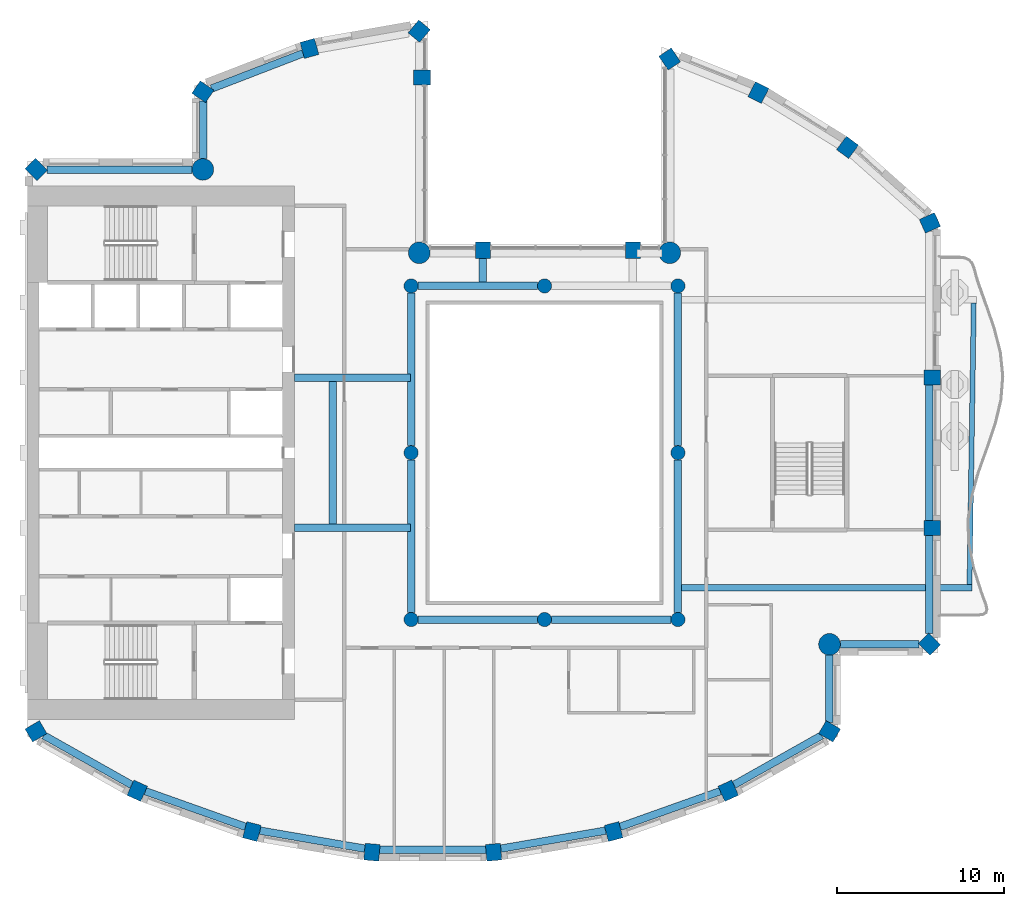
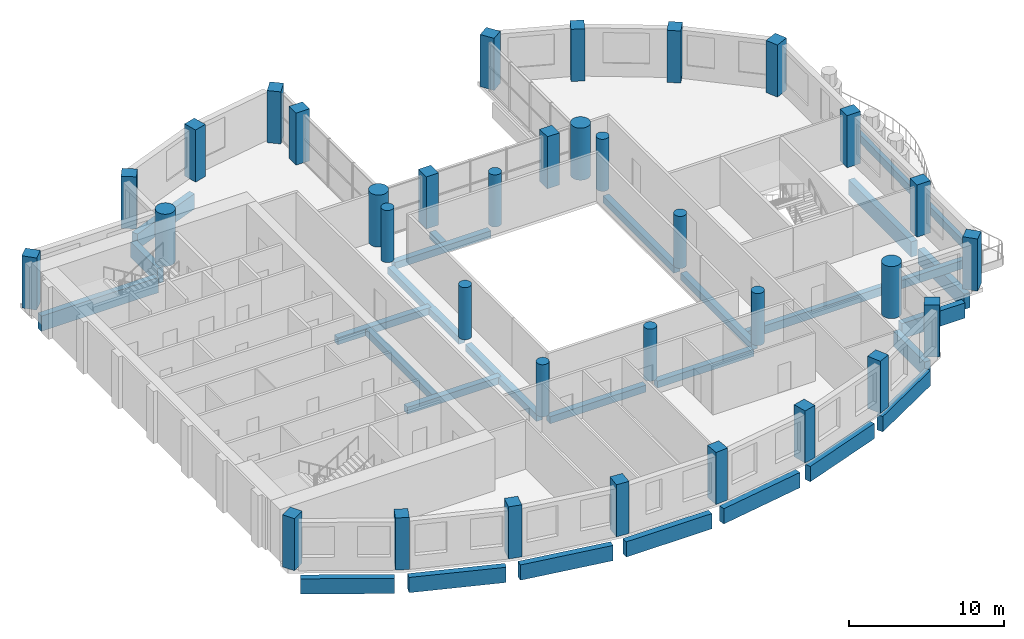
# One storey, part 1 of 14: 34 columns, 27 beams.
"""IFC4 building model written with IfcOpenShell, lengths in metres."""

from ifc_helpers import new_model, si_unit, direction, frame, origin, origin_2d, place, context, subcontext, project, spatial, rectangle, circle, extrude, material, material_profile, profile_set, type_object, element, save


model = new_model("IFC4")

# Units and contexts
model_context = context("Model", 3, precision=1e-05, world=origin(), true_north=direction((0.0, 1.0)))
body_context = subcontext(model_context, "Body", "Model", "MODEL_VIEW")
ifc_project = project(units=[si_unit("LENGTHUNIT", "METRE"), si_unit("AREAUNIT", "SQUARE_METRE"), si_unit("VOLUMEUNIT", "CUBIC_METRE"), si_unit("PLANEANGLEUNIT", "RADIAN"), si_unit("MASSUNIT", "GRAM", prefix="KILO")], contexts=[model_context])

# Site, building, storey
site_placement = place(None, origin())
site = spatial("IfcSite", under=ifc_project, at=site_placement, CompositionType="ELEMENT")
building_placement = place(site_placement, origin())
building = spatial("IfcBuilding", under=site, at=building_placement, Name="Cypress Arch Tower", CompositionType="ELEMENT")
storey_placement = place(building_placement, frame((0.0, 0.0, 276.199951171875)))
storey = spatial("IfcBuildingStorey", under=building, at=storey_placement, Name="L62", CompositionType="ELEMENT", Elevation=276.199951171875)

# Columns
ifc_material_1 = material(Name="Concrete C60/75", Category="concrete")
ifc_material_profile_1 = material_profile(ifc_material_1, rectangle(XDim=0.89990234375, YDim=1.0, at=origin_2d()), Name="RC 900x1000")
ifc_profile_set_1 = profile_set([ifc_material_profile_1], Name="Concrete C60/75")
column_type_1 = type_object("IfcColumnType", Name="Column RC 900x1000 Concrete C60/75", PredefinedType="COLUMN", material=ifc_profile_set_1)
for number, where, z_axis, x_axis, name in (
    (1, (8.5029296875, 23.606201171875, 0.0), (0.0, 0.0, 1.0), (-0.828469606019, -0.560034027451, 0.0), "Column L62 CC00"),
    (2, (6.300048828125, 12.14990234375, 0.0), (0.0, 0.0, 1.0), (-1.0, 0.0, 0.0), "Column L62 CC02"),
    (3, (-2.699951171875, 12.14990234375, 0.0), (0.0, 0.0, 1.0), (-1.0, 0.0, 0.0), "Column L62 CC03"),
    (4, (-6.35009765625, 22.5, 0.0), (0.0, 0.0, 1.0), (0.0, 1.0, 0.0), "Column L62 CC05"),
    (5, (-6.51611328125, 25.27490234375, 0.0), (0.0, 0.0, 1.0), (-0.766063514674, 0.642764880407, 0.0), "Column L62 CC06"),
    (6, (-13.0947265625, 24.241455078125, 0.0), (0.0, 0.0, 1.0), (-0.96345574646, -0.267867550506, 0.0), "Column L62 CC07"),
    (7, (-19.483154296875, 21.645263671875, 0.0), (0.0, 0.0, 1.0), (-0.565892599589, -0.824478966215, 0.0), "Column L62 CC08"),
    (8, (-29.478271484375, 16.978271484375, 0.0), (0.0, 0.0, 1.0), (-0.707106781187, -0.707106781187, 0.0), "Column L62 CC10"),
    (9, (-29.4912109375, -16.702880859375, 0.0), (0.0, 0.0, 1.0), (0.504399289829, -0.86347053014, 0.0), "Column L62 CC11"),
    (10, (-23.4189453125, -20.266845703125, 0.0), (0.0, 0.0, 1.0), (0.909932071487, -0.414757308891, 0.0), "Column L62 CC12"),
    (11, (-16.541748046875, -22.714599609375, 0.0), (0.0, 0.0, 1.0), (0.96735573689, -0.2534223319, 0.0), "Column L62 CC13"),
    (12, (-9.346923828125, -23.95361328125, 0.0), (0.0, 0.0, 1.0), (0.996368206733, -0.085149260784, 0.0), "Column L62 CC14"),
    (13, (-2.052978515625, -23.95361328125, 0.0), (0.0, 0.0, 1.0), (0.996368206733, 0.085149260784, 0.0), "Column L62 CC15"),
    (14, (5.1416015625, -22.714599609375, 0.0), (0.0, 0.0, 1.0), (0.96735573689, 0.2534223319, 0.0), "Column L62 CC16"),
    (15, (12.01904296875, -20.266845703125, 0.0), (0.0, 0.0, 1.0), (0.909932071487, 0.414757308891, 0.0), "Column L62 CC17"),
    (16, (18.09130859375, -16.702880859375, 0.0), (0.0, 0.0, 1.0), (0.504399289829, 0.86347053014, 0.0), "Column L62 CC18"),
    (17, (24.078369140625, -11.478271484375, 0.0), (0.0, 0.0, 1.0), (0.707106781187, 0.707106781187, 0.0), "Column L62 CC20"),
    (18, (24.25, -4.5, 0.0), (0.0, 0.0, 1.0), (0.0, 1.0, 0.0), "Column L62 CC21"),
    (19, (24.25, 4.5, 0.0), (0.0, 0.0, 1.0), (0.0, 1.0, 0.0), "Column L62 CC22"),
    (20, (24.109619140625, 13.77978515625, 0.0), (0.0, 0.0, 1.0), (-0.409765058504, 0.912191096662, 0.0), "Column L62 CC23"),
    (21, (19.168212890625, 18.307861328125, 0.0), (0.0, 0.0, 1.0), (-0.802798546114, 0.596250362144, 0.0), "Column L62 CC24"),
    (22, (13.82568359375, 21.59375, 0.0), (0.0, 0.0, 1.0), (-0.893106499805, 0.44984528452, 0.0), "Column L62 CC25"),
):
    element("IfcColumn", number, at=place(storey_placement, frame(where, z_axis=z_axis, x_axis=x_axis)), inside=storey, type_object=column_type_1, Name=name, PredefinedType="COLUMN", context=body_context, shape_type="SweptSolid", body=[
        extrude(rectangle(XDim=0.89990234375, YDim=1.0, at=origin_2d()), origin(), (0.0, 0.0, 1.0), 4.10009765625),
    ])
ifc_material_2 = material(Name="Concrete C60/75", Category="concrete")
ifc_material_profile_2 = material_profile(ifc_material_2, circle(Radius=0.425048828125, at=origin_2d()), Name="RC D850")
ifc_profile_set_2 = profile_set([ifc_material_profile_2], Name="Concrete C60/75")
column_type_2 = type_object("IfcColumnType", Name="Column RC D850 Concrete C60/75", PredefinedType="COLUMN", material=ifc_profile_set_2)
for number, where, z_axis, x_axis, name in (
    (23, (-7.0, -10.0, 0.0), (0.0, 0.0, 1.0), (1.0, 0.0, 0.0), "Column L62 RNG-L62-G-7-10"),
    (24, (-7.0, 0.0, 0.0), (0.0, 0.0, 1.0), (1.0, 0.0, 0.0), "Column L62 RNG-L62-G-7+0"),
    (25, (-7.0, 10.0, 0.0), (0.0, 0.0, 1.0), (1.0, 0.0, 0.0), "Column L62 RNG-L62-G-7+10"),
    (26, (1.0, -10.0, 0.0), (0.0, 0.0, 1.0), (1.0, 0.0, 0.0), "Column L62 RNG-L62-G+1-10"),
    (27, (1.0, 10.0, 0.0), (0.0, 0.0, 1.0), (1.0, 0.0, 0.0), "Column L62 RNG-L62-G+1+10"),
    (28, (9.0, -10.0, 0.0), (0.0, 0.0, 1.0), (1.0, 0.0, 0.0), "Column L62 RNG-L62-G+9-10"),
    (29, (9.0, 0.0, 0.0), (0.0, 0.0, 1.0), (1.0, 0.0, 0.0), "Column L62 RNG-L62-G+9+0"),
    (30, (9.0, 10.0, 0.0), (0.0, 0.0, 1.0), (1.0, 0.0, 0.0), "Column L62 RNG-L62-G+9+10"),
):
    element("IfcColumn", number, at=place(storey_placement, frame(where, z_axis=z_axis, x_axis=x_axis)), inside=storey, type_object=column_type_2, Name=name, PredefinedType="COLUMN", context=body_context, shape_type="SweptSolid", body=[
        extrude(circle(Radius=0.425048828125, at=origin_2d()), origin(), (0.0, 0.0, 1.0), 4.10009765625),
    ])
ifc_material_3 = material(Name="Concrete C60/75", Category="concrete")
ifc_material_profile_3 = material_profile(ifc_material_3, circle(Radius=0.64990234375, at=origin_2d()), Name="RC D1300")
ifc_profile_set_3 = profile_set([ifc_material_profile_3], Name="Concrete C60/75")
column_type_3 = type_object("IfcColumnType", Name="Mega-column RC D1300 Concrete C60/75", PredefinedType="COLUMN", material=ifc_profile_set_3)
for number, where, z_axis, x_axis, name in (
    (31, (8.51220703125, 11.98779296875, 0.0), (0.0, 0.0, 1.0), (1.0, 0.0, 0.0), "Column L62 CC01"),
    (32, (-6.51220703125, 11.98779296875, 0.0), (0.0, 0.0, 1.0), (1.0, 0.0, 0.0), "Column L62 CC04"),
    (33, (-19.48779296875, 16.98779296875, 0.0), (0.0, 0.0, 1.0), (1.0, 0.0, 0.0), "Column L62 CC09"),
    (34, (18.087890625, -11.48779296875, 0.0), (0.0, 0.0, 1.0), (1.0, 0.0, 0.0), "Column L62 CC19"),
):
    element("IfcColumn", number, at=place(storey_placement, frame(where, z_axis=z_axis, x_axis=x_axis)), inside=storey, type_object=column_type_3, Name=name, PredefinedType="COLUMN", context=body_context, shape_type="SweptSolid", body=[
        extrude(circle(Radius=0.64990234375, at=origin_2d()), origin(), (0.0, 0.0, 1.0), 4.10009765625),
    ])

# Beams
ifc_material_4 = material(Name="Concrete C50/60", Category="concrete")
ifc_material_profile_4 = material_profile(ifc_material_4, rectangle(XDim=0.300048828125, YDim=0.64990234375, at=origin_2d()), Name="RC 300x650")
ifc_profile_set_4 = profile_set([ifc_material_profile_4], Name="Concrete C50/60")
beam_type_1 = type_object("IfcBeamType", Name="Balcony edge beam RC 300x650 Concrete C50/60", PredefinedType="BEAM", material=ifc_profile_set_4)
beam_1_placement = place(storey_placement, frame((26.482421875, -7.89990234375, -0.625), z_axis=(0.015052306729, 0.999886707613, 0.0), x_axis=(-0.999886707613, 0.015052306729, 0.0)))
element("IfcBeam", 35, at=beam_1_placement, inside=storey, type_object=beam_type_1, Name="Balcony edge beam L62 C17", PredefinedType="BEAM", context=body_context, shape_type="SweptSolid", body=[
    extrude(rectangle(XDim=0.300048828125, YDim=0.64990234375, at=origin_2d()), origin(), (0.0, 0.0, 1.0), 16.884521484375),
])
ifc_material_5 = material(Name="Concrete C50/60", Category="concrete")
ifc_material_profile_5 = material_profile(ifc_material_5, rectangle(XDim=0.39990234375, YDim=0.64990234375, at=origin_2d()), Name="RC 400x650")
ifc_profile_set_5 = profile_set([ifc_material_profile_5], Name="Concrete C50/60")
beam_type_2 = type_object("IfcBeamType", Name="Cantilever beam RC 400x650 Concrete C50/60", PredefinedType="BEAM", material=ifc_profile_set_5)
beam_2_placement = place(storey_placement, frame((9.22509765625, -8.10009765625, -0.625), z_axis=(1.0, 0.0, 0.0), x_axis=(0.0, 1.0, 0.0)))
element("IfcBeam", 36, at=beam_2_placement, inside=storey, type_object=beam_type_2, Name="Cantilever beam L62 C17 1", PredefinedType="BEAM", context=body_context, shape_type="SweptSolid", body=[
    extrude(rectangle(XDim=0.39990234375, YDim=0.64990234375, at=origin_2d()), origin(), (0.0, 0.0, 1.0), 17.407470703125),
])
ifc_material_6 = material(Name="Concrete C50/60", Category="concrete")
ifc_material_profile_6 = material_profile(ifc_material_6, rectangle(XDim=0.449951171875, YDim=0.550048828125, at=origin_2d()), Name="RC 450x550")
ifc_profile_set_6 = profile_set([ifc_material_profile_6], Name="Concrete C50/60")
beam_type_3 = type_object("IfcBeamType", Name="Floor beam RC 450x550 Concrete C50/60", PredefinedType="BEAM", material=ifc_profile_set_6)
for number, where, z_axis, x_axis, name in (
    (37, (-7.0, -9.574951171875, -0.574951171875), (0.0, 1.0, 0.0), (-1.0, 0.0, 0.0), "Floor beam L62 RB001"),
    (38, (-7.0, 0.425048828125, -0.574951171875), (0.0, 1.0, 0.0), (-1.0, 0.0, 0.0), "Floor beam L62 RB002"),
    (39, (9.0, -9.574951171875, -0.574951171875), (0.0, 1.0, 0.0), (-1.0, 0.0, 0.0), "Floor beam L62 RB003"),
    (40, (9.0, 0.425048828125, -0.574951171875), (0.0, 1.0, 0.0), (-1.0, 0.0, 0.0), "Floor beam L62 RB004"),
):
    element("IfcBeam", number, at=place(storey_placement, frame(where, z_axis=z_axis, x_axis=x_axis)), inside=storey, type_object=beam_type_3, Name=name, PredefinedType="BEAM", context=body_context, shape_type="SweptSolid", body=[
        extrude(rectangle(XDim=0.449951171875, YDim=0.550048828125, at=origin_2d()), origin(), (0.0, 0.0, 1.0), 9.14990234375),
    ])
for number, where, z_axis, x_axis, name in (
    (41, (-6.574951171875, -10.0, -0.574951171875), (1.0, 0.0, 0.0), (0.0, 1.0, 0.0), "Floor beam L62 RB005"),
    (42, (1.425048828125, -10.0, -0.574951171875), (1.0, 0.0, 0.0), (0.0, 1.0, 0.0), "Floor beam L62 RB006"),
    (43, (-6.574951171875, 10.0, -0.574951171875), (1.0, 0.0, 0.0), (0.0, 1.0, 0.0), "Floor beam L62 RB007"),
):
    element("IfcBeam", number, at=place(storey_placement, frame(where, z_axis=z_axis, x_axis=x_axis)), inside=storey, type_object=beam_type_3, Name=name, PredefinedType="BEAM", context=body_context, shape_type="SweptSolid", body=[
        extrude(rectangle(XDim=0.449951171875, YDim=0.550048828125, at=origin_2d()), origin(), (0.0, 0.0, 1.0), 7.14990234375),
    ])
for number, where, z_axis, x_axis, name in (
    (44, (-14.0, -4.5, -0.574951171875), (1.0, 0.0, 0.0), (0.0, 1.0, 0.0), "Floor beam L62 FB009"),
    (45, (-14.0, 4.5, -0.574951171875), (1.0, 0.0, 0.0), (0.0, 1.0, 0.0), "Floor beam L62 FB010"),
):
    element("IfcBeam", number, at=place(storey_placement, frame(where, z_axis=z_axis, x_axis=x_axis)), inside=storey, type_object=beam_type_3, Name=name, PredefinedType="BEAM", context=body_context, shape_type="SweptSolid", body=[
        extrude(rectangle(XDim=0.449951171875, YDim=0.550048828125, at=origin_2d()), origin(), (0.0, 0.0, 1.0), 6.949951171875),
    ])
beam_3_placement = place(storey_placement, frame((-11.699951171875, -4.27490234375, -0.574951171875), z_axis=(0.0, 1.0, 0.0), x_axis=(-1.0, 0.0, 0.0)))
element("IfcBeam", 46, at=beam_3_placement, inside=storey, type_object=beam_type_3, Name="Floor beam L62 FB011", PredefinedType="BEAM", context=body_context, shape_type="SweptSolid", body=[
    extrude(rectangle(XDim=0.449951171875, YDim=0.550048828125, at=origin_2d()), origin(), (0.0, 0.0, 1.0), 8.5498046875),
])
beam_4_placement = place(storey_placement, frame((-2.699951171875, 10.22509765625, -0.574951171875), z_axis=(0.0, 1.0, 0.0), x_axis=(-1.0, 0.0, 0.0)))
element("IfcBeam", 47, at=beam_4_placement, inside=storey, type_object=beam_type_3, Name="Floor beam L62 FB012", PredefinedType="BEAM", context=body_context, shape_type="SweptSolid", body=[
    extrude(rectangle(XDim=0.449951171875, YDim=0.550048828125, at=origin_2d()), origin(), (0.0, 0.0, 1.0), 1.4248046875),
])
ifc_material_7 = material(Name="Concrete C50/60", Category="concrete")
ifc_material_profile_7 = material_profile(ifc_material_7, rectangle(XDim=0.449951171875, YDim=1.199951171875, at=origin_2d()), Name="RC 450x1200")
ifc_profile_set_7 = profile_set([ifc_material_profile_7], Name="Concrete C50/60")
beam_type_4 = type_object("IfcBeamType", Name="Spandrel beam RC 450x1200 Concrete C50/60", PredefinedType="SPANDREL", material=ifc_profile_set_7)
beam_5_placement = place(storey_placement, frame((-13.48046875, 23.94921875, -1.550048828125), z_axis=(-0.933138853319, -0.359516175472, 0.0), x_axis=(0.359516175472, -0.933138853319, 0.0)))
element("IfcBeam", 48, at=beam_5_placement, inside=storey, type_object=beam_type_4, Name="Spandrel beam L62 BC04-0", PredefinedType="SPANDREL", context=body_context, shape_type="SweptSolid", body=[
    extrude(rectangle(XDim=0.449951171875, YDim=1.199951171875, at=origin_2d()), origin(), (0.0, 0.0, 1.0), 5.878173828125),
])
beam_6_placement = place(storey_placement, frame((-19.47509765625, 21.09375, -1.550048828125), z_axis=(0.0, -1.0, 0.0), x_axis=(1.0, 0.0, 0.0)))
element("IfcBeam", 49, at=beam_6_placement, inside=storey, type_object=beam_type_4, Name="Spandrel beam L62 BC05-0", PredefinedType="SPANDREL", context=body_context, shape_type="SweptSolid", body=[
    extrude(rectangle(XDim=0.449951171875, YDim=1.199951171875, at=origin_2d()), origin(), (0.0, 0.0, 1.0), 3.456298828125),
])
beam_7_placement = place(storey_placement, frame((-20.137451171875, 16.97509765625, -1.550048828125), z_axis=(-1.0, 0.0, 0.0), x_axis=(0.0, -1.0, 0.0)))
element("IfcBeam", 50, at=beam_7_placement, inside=storey, type_object=beam_type_4, Name="Spandrel beam L62 BC06-0", PredefinedType="SPANDREL", context=body_context, shape_type="SweptSolid", body=[
    extrude(rectangle(XDim=0.449951171875, YDim=1.199951171875, at=origin_2d()), origin(), (0.0, 0.0, 1.0), 8.701171875),
])
beam_8_placement = place(storey_placement, frame((-29.02099609375, -16.94921875, -1.550048828125), z_axis=(0.871059543975, -0.491177433165, 0.0), x_axis=(0.491177433165, 0.871059543975, 0.0)))
element("IfcBeam", 51, at=beam_8_placement, inside=storey, type_object=beam_type_4, Name="Spandrel beam L62 BC08-0", PredefinedType="SPANDREL", context=body_context, shape_type="SweptSolid", body=[
    extrude(rectangle(XDim=0.449951171875, YDim=1.199951171875, at=origin_2d()), origin(), (0.0, 0.0, 1.0), 6.045654296875),
])
beam_9_placement = place(storey_placement, frame((-22.93603515625, -20.2919921875, -1.550048828125), z_axis=(0.942120065582, -0.33527568064, 0.0), x_axis=(0.33527568064, 0.942120065582, 0.0)))
element("IfcBeam", 52, at=beam_9_placement, inside=storey, type_object=beam_type_4, Name="Spandrel beam L62 BC09-0", PredefinedType="SPANDREL", context=body_context, shape_type="SweptSolid", body=[
    extrude(rectangle(XDim=0.449951171875, YDim=1.199951171875, at=origin_2d()), origin(), (0.0, 0.0, 1.0), 6.373046875),
])
beam_10_placement = place(storey_placement, frame((-16.061279296875, -22.656982421875, -1.550048828125), z_axis=(0.985502990778, -0.169658053646, 0.0), x_axis=(0.169658053646, 0.985502990778, 0.0)))
element("IfcBeam", 53, at=beam_10_placement, inside=storey, type_object=beam_type_4, Name="Spandrel beam L62 BC10-0", PredefinedType="SPANDREL", context=body_context, shape_type="SweptSolid", body=[
    extrude(rectangle(XDim=0.449951171875, YDim=1.199951171875, at=origin_2d()), origin(), (0.0, 0.0, 1.0), 6.373291015625),
])
beam_11_placement = place(storey_placement, frame((-8.883544921875, -23.81494140625, -1.550048828125), z_axis=(1.0, 0.0, 0.0), x_axis=(0.0, 1.0, 0.0)))
element("IfcBeam", 54, at=beam_11_placement, inside=storey, type_object=beam_type_4, Name="Spandrel beam L62 BC11-0", PredefinedType="SPANDREL", context=body_context, shape_type="SweptSolid", body=[
    extrude(rectangle(XDim=0.449951171875, YDim=1.199951171875, at=origin_2d()), origin(), (0.0, 0.0, 1.0), 6.366943359375),
])
beam_12_placement = place(storey_placement, frame((-1.619873046875, -23.73828125, -1.550048828125), z_axis=(0.985504093315, 0.169651649149, 0.0), x_axis=(-0.169651649149, 0.985504093315, 0.0)))
element("IfcBeam", 55, at=beam_12_placement, inside=storey, type_object=beam_type_4, Name="Spandrel beam L62 BC12-0", PredefinedType="SPANDREL", context=body_context, shape_type="SweptSolid", body=[
    extrude(rectangle(XDim=0.449951171875, YDim=1.199951171875, at=origin_2d()), origin(), (0.0, 0.0, 1.0), 6.37353515625),
])
beam_13_placement = place(storey_placement, frame((5.531982421875, -22.4287109375, -1.550048828125), z_axis=(0.942115759102, 0.335287781541, 0.0), x_axis=(-0.335287781541, 0.942115759102, 0.0)))
element("IfcBeam", 56, at=beam_13_placement, inside=storey, type_object=beam_type_4, Name="Spandrel beam L62 BC13-0", PredefinedType="SPANDREL", context=body_context, shape_type="SweptSolid", body=[
    extrude(rectangle(XDim=0.449951171875, YDim=1.199951171875, at=origin_2d()), origin(), (0.0, 0.0, 1.0), 6.372802734375),
])
beam_14_placement = place(storey_placement, frame((12.35498046875, -19.918701171875, -1.550048828125), z_axis=(0.871059543975, 0.491177433165, 0.0), x_axis=(-0.491177433165, 0.871059543975, 0.0)))
element("IfcBeam", 57, at=beam_14_placement, inside=storey, type_object=beam_type_4, Name="Spandrel beam L62 BC14-0", PredefinedType="SPANDREL", context=body_context, shape_type="SweptSolid", body=[
    extrude(rectangle(XDim=0.449951171875, YDim=1.199951171875, at=origin_2d()), origin(), (0.0, 0.0, 1.0), 6.045654296875),
])
beam_15_placement = place(storey_placement, frame((18.074951171875, -16.172119140625, -1.550048828125), z_axis=(0.0, 1.0, 0.0), x_axis=(-1.0, 0.0, 0.0)))
element("IfcBeam", 58, at=beam_15_placement, inside=storey, type_object=beam_type_4, Name="Spandrel beam L62 BC15-0", PredefinedType="SPANDREL", context=body_context, shape_type="SweptSolid", body=[
    extrude(rectangle(XDim=0.449951171875, YDim=1.199951171875, at=origin_2d()), origin(), (0.0, 0.0, 1.0), 4.03466796875),
])
beam_16_placement = place(storey_placement, frame((18.737548828125, -11.47509765625, -1.550048828125), z_axis=(1.0, 0.0, 0.0), x_axis=(0.0, 1.0, 0.0)))
element("IfcBeam", 59, at=beam_16_placement, inside=storey, type_object=beam_type_4, Name="Spandrel beam L62 BC16-0", PredefinedType="SPANDREL", context=body_context, shape_type="SweptSolid", body=[
    extrude(rectangle(XDim=0.449951171875, YDim=1.199951171875, at=origin_2d()), origin(), (0.0, 0.0, 1.0), 4.701171875),
])
beam_17_placement = place(storey_placement, frame((24.074951171875, -10.838623046875, -1.550048828125), z_axis=(0.0, 1.0, 0.0), x_axis=(-1.0, 0.0, 0.0)))
element("IfcBeam", 60, at=beam_17_placement, inside=storey, type_object=beam_type_4, Name="Spandrel beam L62 BC17-0", PredefinedType="SPANDREL", context=body_context, shape_type="SweptSolid", body=[
    extrude(rectangle(XDim=0.449951171875, YDim=1.199951171875, at=origin_2d()), origin(), (0.0, 0.0, 1.0), 5.888671875),
])
beam_18_placement = place(storey_placement, frame((24.074951171875, -4.050048828125, -1.550048828125), z_axis=(0.0, 1.0, 0.0), x_axis=(-1.0, 0.0, 0.0)))
element("IfcBeam", 61, at=beam_18_placement, inside=storey, type_object=beam_type_4, Name="Spandrel beam L62 BC17-1", PredefinedType="SPANDREL", context=body_context, shape_type="SweptSolid", body=[
    extrude(rectangle(XDim=0.449951171875, YDim=1.199951171875, at=origin_2d()), origin(), (0.0, 0.0, 1.0), 8.10009765625),
])

save(model, "model.ifc")
